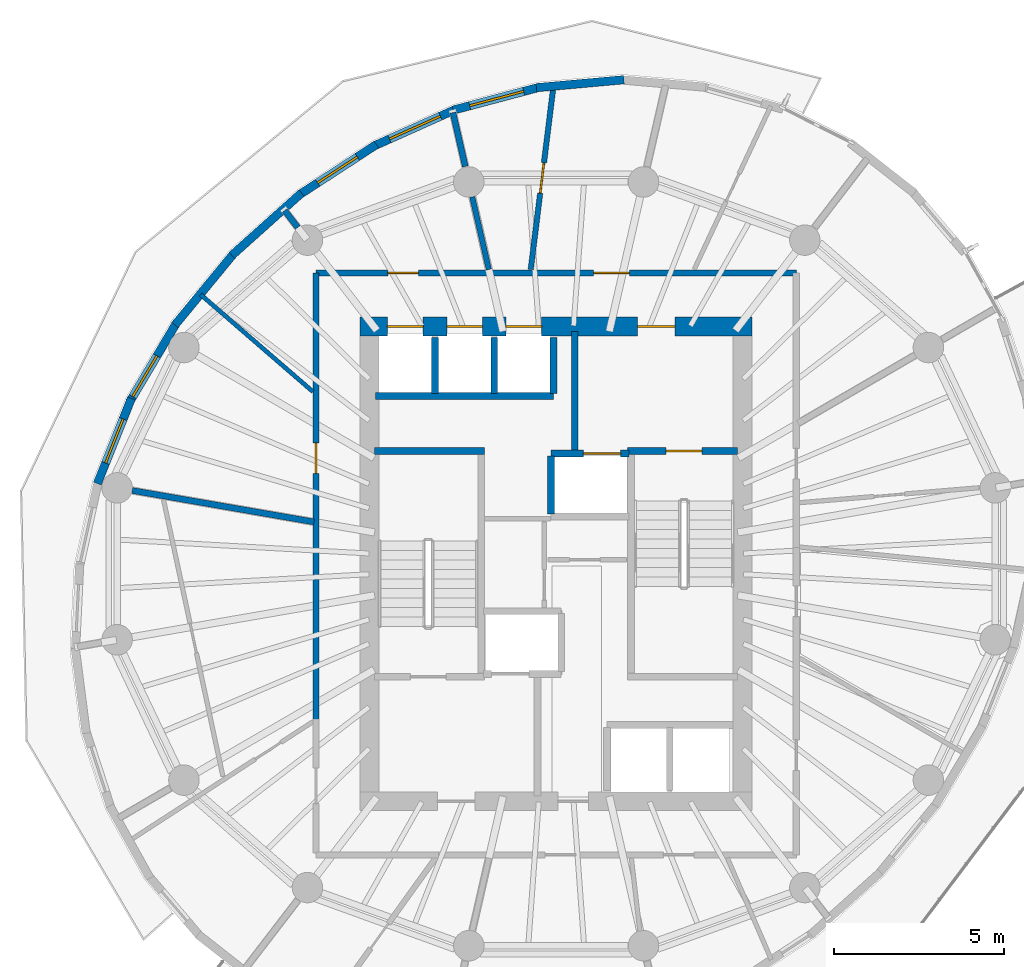
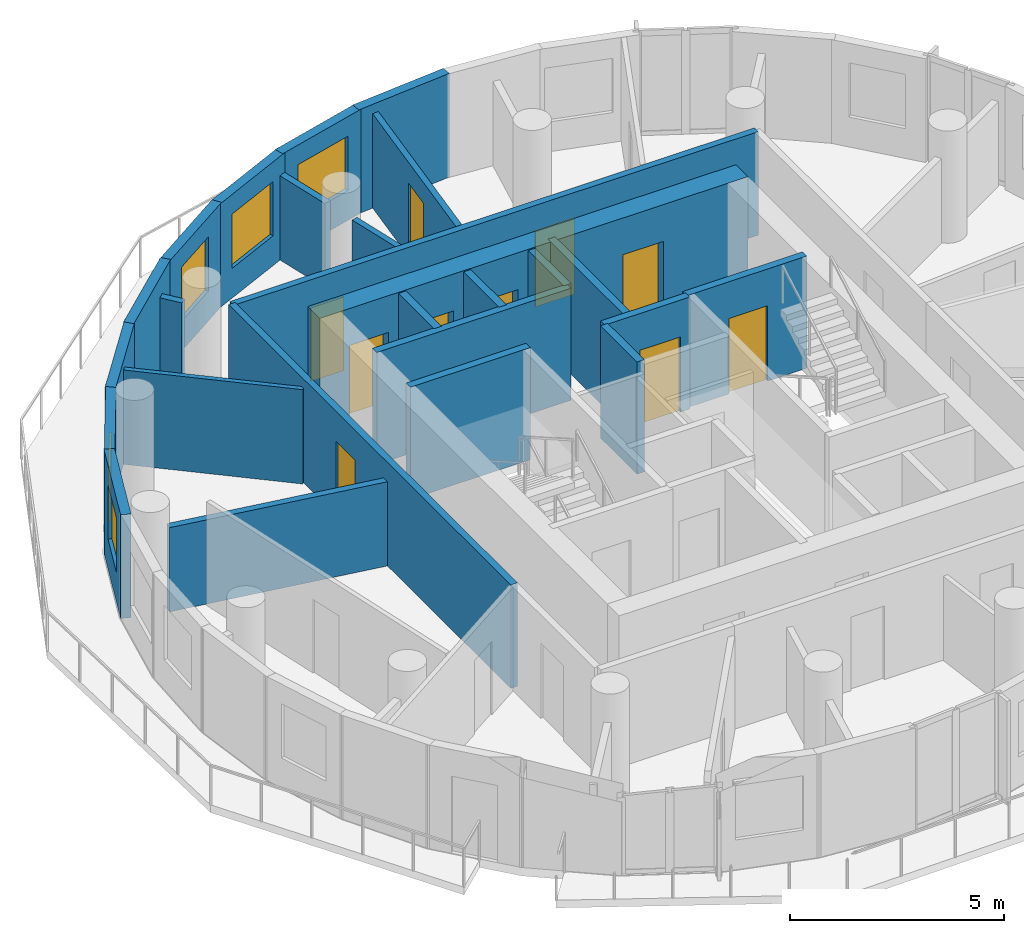
# One storey, part 6 of 10: 26 walls, 10 doors, 5 windows, 15 openings.
"""IFC4 building model written with IfcOpenShell, lengths in metres."""

from ifc_helpers import new_model, si_unit, direction, frame, frame_2d, origin, place, context, subcontext, project, spatial, rectangle, extrude, material, layer, layer_set, type_object, element, fill, save


model = new_model("IFC4")

# Units and contexts
model_context = context("Model", 3, precision=1e-05, world=origin(), true_north=direction((0.0, 1.0)))
body_context = subcontext(model_context, "Body", "Model", "MODEL_VIEW")
ifc_project = project(units=[si_unit("LENGTHUNIT", "METRE"), si_unit("AREAUNIT", "SQUARE_METRE"), si_unit("VOLUMEUNIT", "CUBIC_METRE"), si_unit("PLANEANGLEUNIT", "RADIAN"), si_unit("MASSUNIT", "GRAM", prefix="KILO")], contexts=[model_context])

# Site, building, storey
site_placement = place(None, origin())
site = spatial("IfcSite", under=ifc_project, at=site_placement, CompositionType="ELEMENT")
building_placement = place(site_placement, origin())
building = spatial("IfcBuilding", under=site, at=building_placement, Name="Veldorim Arch Residences", CompositionType="ELEMENT")
storey_placement = place(building_placement, frame((0.0, 0.0, 185.43994140625)))
storey = spatial("IfcBuildingStorey", under=building, at=storey_placement, Name="L55", CompositionType="ELEMENT", Elevation=185.43994140625)

# Walls
ifc_material_1 = material(Name="Acoustic Gypsum Board", Category="gypsum")
ifc_layer_1 = layer(ifc_material_1, 0.125, Name="Acoustic Stud Room Partition Wall 125")
ifc_layer_set_1 = layer_set([ifc_layer_1], Name="Acoustic Gypsum Board")
wall_type_1 = type_object("IfcWallType", Name="Acoustic Stud Room Partition Wall 125", PredefinedType="PARTITIONING", material=ifc_layer_set_1)
wall_1_placement = place(storey_placement, frame((21.515380859375, 31.940673828125, 0.0), z_axis=(0.0, 0.0, 1.0), x_axis=(0.756468247818, -0.654030419815, 0.0)))
element("IfcWall", 1, at=wall_1_placement, inside=storey, type_object=wall_type_1, Name="L55 interior wall WL-RES-L55-018", PredefinedType="PARTITIONING", context=body_context, shape_type="SweptSolid", body=[
    extrude(rectangle(XDim=4.380615234375, YDim=0.125, at=frame_2d((2.1904296875, 0.0))), origin(), (0.0, 0.0, 1.0), 2.692138671875),
])
ifc_material_2 = material(Name="Lightweight Masonry Block & Gypsum", Category="masonry")
ifc_layer_2 = layer(ifc_material_2, 0.179931640625, Name="Compartment & Corridor Fire-Rated Party Wall 180")
ifc_layer_set_2 = layer_set([ifc_layer_2], Name="Lightweight Masonry Block & Gypsum")
wall_type_2 = type_object("IfcWallType", Name="Compartment & Corridor Fire-Rated Party Wall 180", PredefinedType="PARTITIONING", material=ifc_layer_set_2)
wall_2_placement = place(storey_placement, frame((29.320068359375, 35.717529296875, 0.0), z_axis=(0.0, 0.0, 1.0), x_axis=(-0.222967107114, 0.974825968645, 0.0)))
element("IfcWall", 2, at=wall_2_placement, inside=storey, type_object=wall_type_2, Name="L55 interior wall WL-PIER-L55-05", PredefinedType="PARTITIONING", context=body_context, shape_type="SweptSolid", body=[
    extrude(rectangle(XDim=1.63037109375, YDim=0.179931640625, at=frame_2d((0.815185546875, 0.0))), origin(), (0.0, 0.0, 1.0), 2.403564453125),
])
wall_3_placement = place(storey_placement, frame((24.380126953125, 33.91796875, 0.0), z_axis=(0.0, 0.0, 1.0), x_axis=(-0.609112888366, 0.793083532314, 0.0)))
element("IfcWall", 3, at=wall_3_placement, inside=storey, type_object=wall_type_2, Name="L55 interior wall WL-PIER-L55-06", PredefinedType="PARTITIONING", context=body_context, shape_type="SweptSolid", body=[
    extrude(rectangle(XDim=0.631591796875, YDim=0.179931640625, at=frame_2d((0.31591796875, 0.0))), origin(), (0.0, 0.0, 1.0), 2.403564453125),
])

# Wall, openings, doors
wall_4_placement = place(storey_placement, frame((24.919921875, 32.580078125, 0.0), z_axis=(0.0, 0.0, 1.0), x_axis=(1.0, 0.0, 0.0)))
wall_4 = element("IfcWall", 4, at=wall_4_placement, inside=storey, type_object=wall_type_2, Name="L55 interior wall WL-RES-L55-004", PredefinedType="PARTITIONING", context=body_context, shape_type="SweptSolid", body=[
    extrude(rectangle(XDim=14.16015625, YDim=0.179931640625, at=frame_2d((7.080078125, 0.0))), origin(), (0.0, 0.0, 1.0), 2.955078125),
])
opening_1_placement = place(wall_4_placement, frame((8.186279296875, 0.0, 0.0)))
opening_1 = element("IfcOpeningElement", 5, at=opening_1_placement, cuts=wall_4, Name="Opening DR-FLT", PredefinedType="OPENING", context=body_context, shape_type="SweptSolid", body=[
    extrude(rectangle(XDim=1.050048828125, YDim=2.14990234375, at=frame_2d((0.52490234375, 1.074951171875))), frame((0.0, 0.099853515625, 0.0), z_axis=(0.0, -1.0, 0.0), x_axis=(1.0, 0.0, 0.0)), (0.0, 0.0, 1.0), 0.199951171875),
])
opening_2_placement = place(wall_4_placement, frame((2.118896484375, 0.0, 0.0)))
opening_2 = element("IfcOpeningElement", 6, at=opening_2_placement, cuts=wall_4, Name="Opening DR-SVC", PredefinedType="OPENING", context=body_context, shape_type="SweptSolid", body=[
    extrude(rectangle(XDim=0.89990234375, YDim=2.10009765625, at=frame_2d((0.449951171875, 1.050048828125))), frame((0.0, 0.099853515625, 0.0), z_axis=(0.0, -1.0, 0.0), x_axis=(1.0, 0.0, 0.0)), (0.0, 0.0, 1.0), 0.199951171875),
])
ifc_material_3 = material(Name="Fire-Rated Timber", Category="wood")
door_type_1 = type_object("IfcDoorType", Name="Apartment Entrance Solid-Core Fire Door 1050x2150", OperationType="SINGLE_SWING_LEFT", PredefinedType="DOOR", material=ifc_material_3)
door_1_placement = place(opening_1_placement, origin())
door_1 = element("IfcDoor", 7, at=door_1_placement, inside=storey, type_object=door_type_1, Name="L55 interior door DR-RES-L55-007", OperationType="SINGLE_SWING_LEFT", OverallHeight=2.14990234375, OverallWidth=1.050048828125, PredefinedType="DOOR", context=body_context, shape_type="SweptSolid", body=[
    extrude(rectangle(XDim=1.050048828125, YDim=2.14990234375, at=frame_2d((0.52490234375, 1.074951171875))), frame((0.0, 0.02490234375, 0.0), z_axis=(0.0, -1.0, 0.0), x_axis=(1.0, 0.0, 0.0)), (0.0, 0.0, 1.0), 0.050048828125),
])
fill(opening_1, door_1)
ifc_material_4 = material(Name="Fire-Rated Steel", Category="steel")
door_type_2 = type_object("IfcDoorType", Name="Riser, Shelter & Plant Room Rated Steel Door 900x2100", OperationType="SINGLE_SWING_LEFT", PredefinedType="DOOR", material=ifc_material_4)
door_2_placement = place(opening_2_placement, origin())
door_2 = element("IfcDoor", 8, at=door_2_placement, inside=storey, type_object=door_type_2, Name="L55 interior door DR-RES-L55-011", OperationType="SINGLE_SWING_LEFT", OverallHeight=2.10009765625, OverallWidth=0.89990234375, PredefinedType="DOOR", context=body_context, shape_type="SweptSolid", body=[
    extrude(rectangle(XDim=0.89990234375, YDim=2.10009765625, at=frame_2d((0.449951171875, 1.050048828125))), frame((0.0, 0.02490234375, 0.0), z_axis=(0.0, -1.0, 0.0), x_axis=(1.0, 0.0, 0.0)), (0.0, 0.0, 1.0), 0.050048828125),
])
fill(opening_2, door_2)

# Wall, opening, door
wall_5_placement = place(storey_placement, frame((24.919921875, 19.382080078125, 0.0), z_axis=(0.0, 0.0, 1.0), x_axis=(0.0, 1.0, 0.0)))
wall_5 = element("IfcWall", 9, at=wall_5_placement, inside=storey, type_object=wall_type_2, Name="L55 interior wall WL-RES-L55-005", PredefinedType="PARTITIONING", context=body_context, shape_type="SweptSolid", body=[
    extrude(rectangle(XDim=13.197998046875, YDim=0.179931640625, at=frame_2d((6.59912109375, 0.0))), origin(), (0.0, 0.0, 1.0), 2.955078125),
])
opening_3_placement = place(wall_5_placement, frame((7.2822265625, 0.0, 0.0)))
opening_3 = element("IfcOpeningElement", 10, at=opening_3_placement, cuts=wall_5, Name="Opening DR-INT", PredefinedType="OPENING", context=body_context, shape_type="SweptSolid", body=[
    extrude(rectangle(XDim=0.89990234375, YDim=2.10009765625, at=frame_2d((0.449951171875, 1.050048828125))), frame((0.0, 0.099853515625, 0.0), z_axis=(0.0, -1.0, 0.0), x_axis=(1.0, 0.0, 0.0)), (0.0, 0.0, 1.0), 0.199951171875),
])
ifc_material_5 = material(Name="Engineered Timber", Category="wood")
door_type_3 = type_object("IfcDoorType", Name="Apartment Internal Room Timber Door 900x2100", OperationType="SINGLE_SWING_LEFT", PredefinedType="DOOR", material=ifc_material_5)
door_3_placement = place(opening_3_placement, origin())
door_3 = element("IfcDoor", 11, at=door_3_placement, inside=storey, type_object=door_type_3, Name="L55 interior door DR-RES-L55-010", OperationType="SINGLE_SWING_RIGHT", OverallHeight=2.10009765625, OverallWidth=0.89990234375, PredefinedType="DOOR", context=body_context, shape_type="SweptSolid", body=[
    extrude(rectangle(XDim=0.89990234375, YDim=2.10009765625, at=frame_2d((0.449951171875, 1.050048828125))), frame((0.0, 0.02490234375, 0.0), z_axis=(0.0, -1.0, 0.0), x_axis=(1.0, 0.0, 0.0)), (0.0, 0.0, 1.0), 0.050048828125),
])
fill(opening_3, door_3)

# Walls
wall_6_placement = place(storey_placement, frame((24.86083984375, 25.235107421875, 0.0), z_axis=(0.0, 0.0, 1.0), x_axis=(-0.985368487575, 0.170437506711, 0.0)))
element("IfcWall", 12, at=wall_6_placement, inside=storey, type_object=wall_type_2, Name="L55 interior wall WL-RES-L55-019", PredefinedType="PARTITIONING", context=body_context, shape_type="SweptSolid", body=[
    extrude(rectangle(XDim=5.43896484375, YDim=0.179931640625, at=frame_2d((2.719482421875, 0.0))), origin(), (0.0, 0.0, 1.0), 2.403564453125),
])
ifc_material_6 = material(Name="Concrete C50/60", Category="concrete")
ifc_layer_3 = layer(ifc_material_6, 0.199951171875, Name="Core Stair & Lift Shaft Enclosure Wall 200")
ifc_layer_set_3 = layer_set([ifc_layer_3], Name="Concrete C50/60")
wall_type_3 = type_object("IfcWallType", Name="Core Stair & Lift Shaft Enclosure Wall 200", PredefinedType="SHEAR", material=ifc_layer_set_3)
wall_7_placement = place(storey_placement, frame((26.64990234375, 27.330078125, 0.0), z_axis=(0.0, 0.0, 1.0), x_axis=(1.0, 0.0, 0.0)))
element("IfcWall", 13, at=wall_7_placement, inside=storey, type_object=wall_type_3, Name="L55 shaft wall WL-SHF-L55-ST1-N", PredefinedType="SHEAR", context=body_context, shape_type="SweptSolid", body=[
    extrude(rectangle(XDim=3.239990234375, YDim=0.199951171875, at=frame_2d((1.6201171875, 0.0))), origin(), (0.0, 0.0, 1.0), 3.199951171875),
])

# Wall, opening, door
wall_8_placement = place(storey_placement, frame((34.110107421875, 27.330078125, 0.0), z_axis=(0.0, 0.0, 1.0), x_axis=(1.0, 0.0, 0.0)))
wall_8 = element("IfcWall", 14, at=wall_8_placement, inside=storey, type_object=wall_type_3, Name="L55 shaft wall WL-SHF-L55-ST2-N", PredefinedType="SHEAR", context=body_context, shape_type="SweptSolid", body=[
    extrude(rectangle(XDim=3.239990234375, YDim=0.199951171875, at=frame_2d((1.6201171875, 0.0))), origin(), (0.0, 0.0, 1.0), 3.199951171875),
])
opening_4_placement = place(wall_8_placement, frame((1.135009765625, 0.0, 0.0)))
opening_4 = element("IfcOpeningElement", 15, at=opening_4_placement, cuts=wall_8, Name="Opening DR-ST", PredefinedType="OPENING", context=body_context, shape_type="SweptSolid", body=[
    extrude(rectangle(XDim=1.050048828125, YDim=2.14990234375, at=frame_2d((0.52490234375, 1.074951171875))), frame((0.0, 0.10986328125, 0.0), z_axis=(0.0, -1.0, 0.0), x_axis=(1.0, 0.0, 0.0)), (0.0, 0.0, 1.0), 0.219970703125),
])
ifc_material_7 = material(Name="Fire-Rated Steel", Category="steel")
door_type_4 = type_object("IfcDoorType", Name="Exit Staircase Self-Closing Fire Door 1050x2150", OperationType="SINGLE_SWING_LEFT", PredefinedType="DOOR", material=ifc_material_7)
door_4_placement = place(opening_4_placement, origin())
door_4 = element("IfcDoor", 16, at=door_4_placement, inside=storey, type_object=door_type_4, Name="L55 interior door DR-L55-ST2", OperationType="SINGLE_SWING_RIGHT", OverallHeight=2.14990234375, OverallWidth=1.050048828125, PredefinedType="DOOR", context=body_context, shape_type="SweptSolid", body=[
    extrude(rectangle(XDim=1.050048828125, YDim=2.14990234375, at=frame_2d((0.52490234375, 1.074951171875))), frame((0.0, 0.02490234375, 0.0), z_axis=(0.0, -1.0, 0.0), x_axis=(1.0, 0.0, 0.0)), (0.0, 0.0, 1.0), 0.050048828125),
])
fill(opening_4, door_4)

# Wall
wall_9_placement = place(storey_placement, frame((32.550048828125, 27.35009765625, 0.0), z_axis=(0.0, 0.0, 1.0), x_axis=(0.0, 1.0, 0.0)))
element("IfcWall", 17, at=wall_9_placement, inside=storey, type_object=wall_type_3, Name="L55 shaft wall WL-FFL2-L55-W", PredefinedType="SHEAR", context=body_context, shape_type="SweptSolid", body=[
    extrude(rectangle(XDim=3.5, YDim=0.199951171875, at=frame_2d((1.75, 0.0))), origin(), (0.0, 0.0, 1.0), 3.199951171875),
])

# Wall, opening, door
wall_10_placement = place(storey_placement, frame((31.85009765625, 27.25, 0.0), z_axis=(0.0, 0.0, 1.0), x_axis=(1.0, 0.0, 0.0)))
wall_10 = element("IfcWall", 18, at=wall_10_placement, inside=storey, type_object=wall_type_3, Name="L55 shaft wall WL-FL02-L55-N", PredefinedType="SHEAR", context=body_context, shape_type="SweptSolid", body=[
    extrude(rectangle(XDim=2.2998046875, YDim=0.199951171875, at=frame_2d((1.14990234375, 0.0))), origin(), (0.0, 0.0, 1.0), 3.199951171875),
])
opening_5_placement = place(wall_10_placement, frame((0.949951171875, 0.0, 0.0)))
opening_5 = element("IfcOpeningElement", 19, at=opening_5_placement, cuts=wall_10, Name="Opening LD-FF", PredefinedType="OPENING", context=body_context, shape_type="SweptSolid", body=[
    extrude(rectangle(XDim=1.10009765625, YDim=2.14990234375, at=frame_2d((0.550048828125, 1.074951171875))), frame((0.0, 0.10986328125, 0.0), z_axis=(0.0, -1.0, 0.0), x_axis=(1.0, 0.0, 0.0)), (0.0, 0.0, 1.0), 0.219970703125),
])
ifc_material_8 = material(Name="Stainless Steel", Category="steel")
door_type_5 = type_object("IfcDoorType", Name="Firefighting Lift Bi-Parting Sliding Landing Door 1100x2150", OperationType="DOUBLE_DOOR_SLIDING", PredefinedType="DOOR", material=ifc_material_8)
door_5_placement = place(opening_5_placement, origin())
door_5 = element("IfcDoor", 20, at=door_5_placement, inside=storey, type_object=door_type_5, Name="L55 lift landing door LD-L55-FL02", OperationType="DOUBLE_DOOR_SLIDING", OverallHeight=2.14990234375, OverallWidth=1.10009765625, PredefinedType="DOOR", context=body_context, shape_type="SweptSolid", body=[
    extrude(rectangle(XDim=1.10009765625, YDim=2.14990234375, at=frame_2d((0.550048828125, 1.074951171875))), frame((0.0, 0.02490234375, 0.0), z_axis=(0.0, -1.0, 0.0), x_axis=(1.0, 0.0, 0.0)), (0.0, 0.0, 1.0), 0.050048828125),
])
fill(opening_5, door_5)

# Walls
wall_11_placement = place(storey_placement, frame((31.85009765625, 25.469970703125, 0.0), z_axis=(0.0, 0.0, 1.0), x_axis=(0.0, 1.0, 0.0)))
element("IfcWall", 21, at=wall_11_placement, inside=storey, type_object=wall_type_3, Name="L55 shaft wall WL-FL02-L55-W", PredefinedType="SHEAR", context=body_context, shape_type="SweptSolid", body=[
    extrude(rectangle(XDim=1.7099609375, YDim=0.199951171875, at=frame_2d((0.85498046875, 0.0))), origin(), (0.0, 0.0, 1.0), 3.199951171875),
])
wall_12_placement = place(storey_placement, frame((26.679931640625, 28.949951171875, 0.0), z_axis=(0.0, 0.0, 1.0), x_axis=(1.0, 0.0, 0.0)))
element("IfcWall", 22, at=wall_12_placement, inside=storey, type_object=wall_type_3, Name="L55 shaft wall WL-B3-L55-S", PredefinedType="SHEAR", context=body_context, shape_type="SweptSolid", body=[
    extrude(rectangle(XDim=5.239990234375, YDim=0.199951171875, at=frame_2d((2.6201171875, 0.0))), origin(), (0.0, 0.0, 1.0), 3.199951171875),
])
for number, where, z_axis, x_axis, name in (
    (23, (31.919921875, 29.02001953125, 0.0), (0.0, 0.0, 1.0), (0.0, 1.0, 0.0), "L55 shaft wall WL-B3-L55-E"),
    (24, (28.425048828125, 29.02001953125, 0.0), (0.0, 0.0, 1.0), (0.0, 1.0, 0.0), "L55 shaft wall WL-B3-L55-D1"),
    (25, (30.175048828125, 29.02001953125, 0.0), (0.0, 0.0, 1.0), (0.0, 1.0, 0.0), "L55 shaft wall WL-B3-L55-D2"),
):
    element("IfcWall", number, at=place(storey_placement, frame(where, z_axis=z_axis, x_axis=x_axis)), inside=storey, type_object=wall_type_3, Name=name, PredefinedType="SHEAR", context=body_context, shape_type="SweptSolid", body=[
        extrude(rectangle(XDim=1.659912109375, YDim=0.199951171875, at=frame_2d((0.830078125, 0.0))), origin(), (0.0, 0.0, 1.0), 3.199951171875),
    ])
ifc_material_9 = material(Name="Precast concrete C40/50", Category="concrete")
ifc_layer_4 = layer(ifc_material_9, 0.25, Name="Tower Terracotta Spandrel & Pier Wall 250")
ifc_layer_set_4 = layer_set([ifc_layer_4], Name="Precast concrete C40/50")
wall_type_4 = type_object("IfcWallType", Name="Tower Terracotta Spandrel & Pier Wall 250", PredefinedType="SOLIDWALL", material=ifc_layer_set_4)
wall_13_placement = place(storey_placement, frame((31.417724609375, 38.04150390625, 0.0), z_axis=(0.0, 0.0, 1.0), x_axis=(0.995895522128, 0.090510270169, 0.0)))
element("IfcWall", 26, at=wall_13_placement, inside=storey, type_object=wall_type_4, Name="L55 terracotta facade wall 05", PredefinedType="SOLIDWALL", context=body_context, shape_type="SweptSolid", body=[
    extrude(rectangle(XDim=2.59228515625, YDim=0.25, at=frame_2d((1.296142578125, 0.0))), origin(), (0.0, 0.0, 1.0), 2.9599609375),
])

# Wall, opening, window
wall_14_placement = place(storey_placement, frame((28.964599609375, 37.380615234375, 0.0), z_axis=(0.0, 0.0, 1.0), x_axis=(0.96652474621, 0.256573410476, 0.0)))
wall_14 = element("IfcWall", 27, at=wall_14_placement, inside=storey, type_object=wall_type_4, Name="L55 terracotta facade wall 06", PredefinedType="SOLIDWALL", context=body_context, shape_type="SweptSolid", body=[
    extrude(rectangle(XDim=2.65087890625, YDim=0.25, at=frame_2d((1.325439453125, 0.0))), origin(), (0.0, 0.0, 1.0), 2.9599609375),
])
opening_6_placement = place(wall_14_placement, frame((0.5009765625, 0.0, 0.85009765625)))
opening_6 = element("IfcOpeningElement", 28, at=opening_6_placement, cuts=wall_14, Name="Opening WN-03", PredefinedType="OPENING", context=body_context, shape_type="SweptSolid", body=[
    extrude(rectangle(XDim=1.64990234375, YDim=1.550048828125, at=frame_2d((0.824951171875, 0.77490234375))), frame((0.0, 0.135009765625, 0.0), z_axis=(0.0, -1.0, 0.0), x_axis=(1.0, 0.0, 0.0)), (0.0, 0.0, 1.0), 0.27001953125),
])
ifc_material_10 = material(Name="Laminated Low-E Glass", Category="glass")
window_type_1 = type_object("IfcWindowType", Name="Residential Wide Window 1650x1550", PartitioningType="SINGLE_PANEL", PredefinedType="WINDOW", material=ifc_material_10)
window_1_placement = place(opening_6_placement, origin())
window_1 = element("IfcWindow", 29, at=window_1_placement, inside=storey, type_object=window_type_1, Name="L55 solar-control facade window 06", OverallHeight=1.550048828125, OverallWidth=1.64990234375, PartitioningType="SINGLE_PANEL", PredefinedType="WINDOW", context=body_context, shape_type="SweptSolid", body=[
    extrude(rectangle(XDim=1.64990234375, YDim=1.550048828125, at=frame_2d((0.824951171875, 0.77490234375))), frame((0.0, 0.030029296875, 0.0), z_axis=(0.0, -1.0, 0.0), x_axis=(1.0, 0.0, 0.0)), (0.0, 0.0, 1.0), 0.06005859375),
])
fill(opening_6, window_1)

wall_15_placement = place(storey_placement, frame((26.6025390625, 36.312744140625, 0.0), z_axis=(0.0, 0.0, 1.0), x_axis=(0.912615139532, 0.408819773368, 0.0)))
wall_15 = element("IfcWall", 30, at=wall_15_placement, inside=storey, type_object=wall_type_4, Name="L55 terracotta facade wall 07", PredefinedType="SOLIDWALL", context=body_context, shape_type="SweptSolid", body=[
    extrude(rectangle(XDim=2.70166015625, YDim=0.25, at=frame_2d((1.350830078125, 0.0))), origin(), (0.0, 0.0, 1.0), 2.9599609375),
])
opening_7_placement = place(wall_15_placement, frame((0.52587890625, 0.0, 0.85009765625)))
opening_7 = element("IfcOpeningElement", 31, at=opening_7_placement, cuts=wall_15, Name="Opening WN-03", PredefinedType="OPENING", context=body_context, shape_type="SweptSolid", body=[
    extrude(rectangle(XDim=1.64990234375, YDim=1.550048828125, at=frame_2d((0.824951171875, 0.77490234375))), frame((0.0, 0.135009765625, 0.0), z_axis=(0.0, -1.0, 0.0), x_axis=(1.0, 0.0, 0.0)), (0.0, 0.0, 1.0), 0.27001953125),
])
window_2_placement = place(opening_7_placement, origin())
window_2 = element("IfcWindow", 32, at=window_2_placement, inside=storey, type_object=window_type_1, Name="L55 solar-control facade window 07", OverallHeight=1.550048828125, OverallWidth=1.64990234375, PartitioningType="SINGLE_PANEL", PredefinedType="WINDOW", context=body_context, shape_type="SweptSolid", body=[
    extrude(rectangle(XDim=1.64990234375, YDim=1.550048828125, at=frame_2d((0.824951171875, 0.77490234375))), frame((0.0, 0.030029296875, 0.0), z_axis=(0.0, -1.0, 0.0), x_axis=(1.0, 0.0, 0.0)), (0.0, 0.0, 1.0), 0.06005859375),
])
fill(opening_7, window_2)

wall_16_placement = place(storey_placement, frame((24.404052734375, 34.8701171875, 0.0), z_axis=(0.0, 0.0, 1.0), x_axis=(0.837860586987, 0.545884270496, 0.0)))
wall_16 = element("IfcWall", 33, at=wall_16_placement, inside=storey, type_object=wall_type_4, Name="L55 terracotta facade wall 08", PredefinedType="SOLIDWALL", context=body_context, shape_type="SweptSolid", body=[
    extrude(rectangle(XDim=2.738525390625, YDim=0.25, at=frame_2d((1.369140625, 0.0))), origin(), (0.0, 0.0, 1.0), 2.9599609375),
])
opening_8_placement = place(wall_16_placement, frame((0.6689453125, 0.0, 0.85009765625)))
opening_8 = element("IfcOpeningElement", 34, at=opening_8_placement, cuts=wall_16, Name="Opening WN-02", PredefinedType="OPENING", context=body_context, shape_type="SweptSolid", body=[
    extrude(rectangle(XDim=1.39990234375, YDim=1.550048828125, at=frame_2d((0.699951171875, 0.77490234375))), frame((0.0, 0.135009765625, 0.0), z_axis=(0.0, -1.0, 0.0), x_axis=(1.0, 0.0, 0.0)), (0.0, 0.0, 1.0), 0.27001953125),
])
ifc_material_11 = material(Name="Laminated Low-E Glass", Category="glass")
window_type_2 = type_object("IfcWindowType", Name="Residential Casement Window 1400x1550", PartitioningType="SINGLE_PANEL", PredefinedType="WINDOW", material=ifc_material_11)
window_3_placement = place(opening_8_placement, origin())
window_3 = element("IfcWindow", 35, at=window_3_placement, inside=storey, type_object=window_type_2, Name="L55 solar-control facade window 08", OverallHeight=1.550048828125, OverallWidth=1.39990234375, PartitioningType="SINGLE_PANEL", PredefinedType="WINDOW", context=body_context, shape_type="SweptSolid", body=[
    extrude(rectangle(XDim=1.39990234375, YDim=1.550048828125, at=frame_2d((0.699951171875, 0.77490234375))), frame((0.0, 0.030029296875, 0.0), z_axis=(0.0, -1.0, 0.0), x_axis=(1.0, 0.0, 0.0)), (0.0, 0.0, 1.0), 0.06005859375),
])
fill(opening_8, window_3)

# Walls
for number, where, z_axis, x_axis, name in (
    (36, (22.43603515625, 33.09619140625, 0.0), (0.0, 0.0, 1.0), (0.744898573364, 0.667177723998, 0.0), "L55 terracotta facade wall 09"),
    (37, (20.7587890625, 31.044921875, 0.0), (0.0, 0.0, 1.0), (0.635409334306, 0.772175483861, 0.0), "L55 terracotta facade wall 10"),
):
    element("IfcWall", number, at=place(storey_placement, frame(where, z_axis=z_axis, x_axis=x_axis)), inside=storey, type_object=wall_type_4, Name=name, PredefinedType="SOLIDWALL", context=body_context, shape_type="SweptSolid", body=[
        extrude(rectangle(XDim=2.758056640625, YDim=0.25, at=frame_2d((1.37890625, 0.0))), origin(), (0.0, 0.0, 1.0), 2.9599609375),
    ])

# Wall, opening, window
wall_17_placement = place(storey_placement, frame((19.423828125, 28.779052734375, 0.0), z_axis=(0.0, 0.0, 1.0), x_axis=(0.510320389621, 0.859984360287, 0.0)))
wall_17 = element("IfcWall", 38, at=wall_17_placement, inside=storey, type_object=wall_type_4, Name="L55 terracotta facade wall 11", PredefinedType="SOLIDWALL", context=body_context, shape_type="SweptSolid", body=[
    extrude(rectangle(XDim=2.73828125, YDim=0.25, at=frame_2d((1.369140625, 0.0))), origin(), (0.0, 0.0, 1.0), 2.9599609375),
])
opening_9_placement = place(wall_17_placement, frame((0.175048828125, 0.0, 0.85009765625)))
opening_9 = element("IfcOpeningElement", 39, at=opening_9_placement, cuts=wall_17, Name="Opening WN-02", PredefinedType="OPENING", context=body_context, shape_type="SweptSolid", body=[
    extrude(rectangle(XDim=1.39990234375, YDim=1.550048828125, at=frame_2d((0.699951171875, 0.77490234375))), frame((0.0, 0.135009765625, 0.0), z_axis=(0.0, -1.0, 0.0), x_axis=(1.0, 0.0, 0.0)), (0.0, 0.0, 1.0), 0.27001953125),
])
window_4_placement = place(opening_9_placement, origin())
window_4 = element("IfcWindow", 40, at=window_4_placement, inside=storey, type_object=window_type_2, Name="L55 solar-control facade window 11", OverallHeight=1.550048828125, OverallWidth=1.39990234375, PartitioningType="SINGLE_PANEL", PredefinedType="WINDOW", context=body_context, shape_type="SweptSolid", body=[
    extrude(rectangle(XDim=1.39990234375, YDim=1.550048828125, at=frame_2d((0.699951171875, 0.77490234375))), frame((0.0, 0.030029296875, 0.0), z_axis=(0.0, -1.0, 0.0), x_axis=(1.0, 0.0, 0.0)), (0.0, 0.0, 1.0), 0.06005859375),
])
fill(opening_9, window_4)

wall_18_placement = place(storey_placement, frame((18.4716796875, 26.367431640625, 0.0), z_axis=(0.0, 0.0, 1.0), x_axis=(0.370330939431, 0.928899884433, 0.0)))
wall_18 = element("IfcWall", 41, at=wall_18_placement, inside=storey, type_object=wall_type_4, Name="L55 terracotta facade wall 12", PredefinedType="SOLIDWALL", context=body_context, shape_type="SweptSolid", body=[
    extrude(rectangle(XDim=2.70166015625, YDim=0.25, at=frame_2d((1.350830078125, 0.0))), origin(), (0.0, 0.0, 1.0), 2.9599609375),
])
opening_10_placement = place(wall_18_placement, frame((0.65087890625, 0.0, 0.85009765625)))
opening_10 = element("IfcOpeningElement", 42, at=opening_10_placement, cuts=wall_18, Name="Opening WN-02", PredefinedType="OPENING", context=body_context, shape_type="SweptSolid", body=[
    extrude(rectangle(XDim=1.39990234375, YDim=1.550048828125, at=frame_2d((0.699951171875, 0.77490234375))), frame((0.0, 0.135009765625, 0.0), z_axis=(0.0, -1.0, 0.0), x_axis=(1.0, 0.0, 0.0)), (0.0, 0.0, 1.0), 0.27001953125),
])
window_5_placement = place(opening_10_placement, origin())
window_5 = element("IfcWindow", 43, at=window_5_placement, inside=storey, type_object=window_type_2, Name="L55 solar-control facade window 12", OverallHeight=1.550048828125, OverallWidth=1.39990234375, PartitioningType="SINGLE_PANEL", PredefinedType="WINDOW", context=body_context, shape_type="SweptSolid", body=[
    extrude(rectangle(XDim=1.39990234375, YDim=1.550048828125, at=frame_2d((0.699951171875, 0.77490234375))), frame((0.0, 0.030029296875, 0.0), z_axis=(0.0, -1.0, 0.0), x_axis=(1.0, 0.0, 0.0)), (0.0, 0.0, 1.0), 0.06005859375),
])
fill(opening_10, window_5)

# Wall, openings, doors
ifc_material_12 = material(Name="Concrete C50/60", Category="concrete")
ifc_layer_5 = layer(ifc_material_12, 0.5, Name="Upper Central Core Shear Wall 560")
ifc_layer_set_5 = layer_set([ifc_layer_5], Name="Concrete C50/60")
wall_type_5 = type_object("IfcWallType", Name="Upper Central Core Shear Wall 560", PredefinedType="SHEAR", material=ifc_layer_set_5)
wall_19_placement = place(storey_placement, frame((26.219970703125, 31.0, 0.0), z_axis=(0.0, 0.0, 1.0), x_axis=(1.0, 0.0, 0.0)))
wall_19 = element("IfcWall", 44, at=wall_19_placement, inside=storey, type_object=wall_type_5, Name="L55 central core north shear wall", PredefinedType="SHEAR", context=body_context, shape_type="SweptSolid", body=[
    extrude(rectangle(XDim=11.56005859375, YDim=0.56005859375, at=frame_2d((5.780029296875, 0.0))), origin(), (0.0, 0.0, 1.0), 3.199951171875),
])
opening_11_placement = place(wall_19_placement, frame((8.179931640625, 0.0, 0.0)))
opening_11 = element("IfcOpeningElement", 45, at=opening_11_placement, cuts=wall_19, Name="Opening DR-FFL", PredefinedType="OPENING", context=body_context, shape_type="SweptSolid", body=[
    extrude(rectangle(XDim=1.10009765625, YDim=2.14990234375, at=frame_2d((0.550048828125, 1.074951171875))), frame((0.0, 0.2900390625, 0.0), z_axis=(0.0, -1.0, 0.0), x_axis=(1.0, 0.0, 0.0)), (0.0, 0.0, 1.0), 0.580078125),
])
opening_12_placement = place(wall_19_placement, frame((0.804931640625, 0.0, 0.0)))
opening_12 = element("IfcOpeningElement", 46, at=opening_12_placement, cuts=wall_19, Name="Opening LD-PS", PredefinedType="OPENING", context=body_context, shape_type="SweptSolid", body=[
    extrude(rectangle(XDim=1.050048828125, YDim=2.14990234375, at=frame_2d((0.52490234375, 1.074951171875))), frame((0.0, 0.2900390625, 0.0), z_axis=(0.0, -1.0, 0.0), x_axis=(1.0, 0.0, 0.0)), (0.0, 0.0, 1.0), 0.580078125),
])
opening_13_placement = place(wall_19_placement, frame((2.554931640625, 0.0, 0.0)))
opening_13 = element("IfcOpeningElement", 47, at=opening_13_placement, cuts=wall_19, Name="Opening LD-PS", PredefinedType="OPENING", context=body_context, shape_type="SweptSolid", body=[
    extrude(rectangle(XDim=1.050048828125, YDim=2.14990234375, at=frame_2d((0.52490234375, 1.074951171875))), frame((0.0, 0.2900390625, 0.0), z_axis=(0.0, -1.0, 0.0), x_axis=(1.0, 0.0, 0.0)), (0.0, 0.0, 1.0), 0.580078125),
])
opening_14_placement = place(wall_19_placement, frame((4.304931640625, 0.0, 0.0)))
opening_14 = element("IfcOpeningElement", 48, at=opening_14_placement, cuts=wall_19, Name="Opening LD-PS", PredefinedType="OPENING", context=body_context, shape_type="SweptSolid", body=[
    extrude(rectangle(XDim=1.050048828125, YDim=2.14990234375, at=frame_2d((0.52490234375, 1.074951171875))), frame((0.0, 0.2900390625, 0.0), z_axis=(0.0, -1.0, 0.0), x_axis=(1.0, 0.0, 0.0)), (0.0, 0.0, 1.0), 0.580078125),
])
ifc_material_13 = material(Name="Fire-Rated Steel & Vision Glass", Category="steel")
door_type_6 = type_object("IfcDoorType", Name="Firefighting Lobby Smoke-Stop Fire Door 1100x2150", OperationType="SINGLE_SWING_LEFT", PredefinedType="DOOR", material=ifc_material_13)
door_6_placement = place(opening_11_placement, origin())
door_6 = element("IfcDoor", 49, at=door_6_placement, inside=storey, type_object=door_type_6, Name="L55 interior door DR-L55-FFL2", OperationType="SINGLE_SWING_LEFT", OverallHeight=2.14990234375, OverallWidth=1.10009765625, PredefinedType="DOOR", context=body_context, shape_type="SweptSolid", body=[
    extrude(rectangle(XDim=1.10009765625, YDim=2.14990234375, at=frame_2d((0.550048828125, 1.074951171875))), frame((0.0, 0.02490234375, 0.0), z_axis=(0.0, -1.0, 0.0), x_axis=(1.0, 0.0, 0.0)), (0.0, 0.0, 1.0), 0.050048828125),
])
fill(opening_11, door_6)
ifc_material_14 = material(Name="Stainless Steel", Category="steel")
door_type_7 = type_object("IfcDoorType", Name="Passenger Lift Bi-Parting Sliding Landing Door 1050x2150", OperationType="DOUBLE_DOOR_SLIDING", PredefinedType="DOOR", material=ifc_material_14)
door_7_placement = place(opening_12_placement, origin())
door_7 = element("IfcDoor", 50, at=door_7_placement, inside=storey, type_object=door_type_7, Name="L55 lift landing door LD-L55-PL-08", OperationType="DOUBLE_DOOR_SLIDING", OverallHeight=2.14990234375, OverallWidth=1.050048828125, PredefinedType="DOOR", context=body_context, shape_type="SweptSolid", body=[
    extrude(rectangle(XDim=1.050048828125, YDim=2.14990234375, at=frame_2d((0.52490234375, 1.074951171875))), frame((0.0, 0.02490234375, 0.0), z_axis=(0.0, -1.0, 0.0), x_axis=(1.0, 0.0, 0.0)), (0.0, 0.0, 1.0), 0.050048828125),
])
fill(opening_12, door_7)
door_8_placement = place(opening_13_placement, origin())
door_8 = element("IfcDoor", 51, at=door_8_placement, inside=storey, type_object=door_type_7, Name="L55 lift landing door LD-L55-PL-09", OperationType="DOUBLE_DOOR_SLIDING", OverallHeight=2.14990234375, OverallWidth=1.050048828125, PredefinedType="DOOR", context=body_context, shape_type="SweptSolid", body=[
    extrude(rectangle(XDim=1.050048828125, YDim=2.14990234375, at=frame_2d((0.52490234375, 1.074951171875))), frame((0.0, 0.02490234375, 0.0), z_axis=(0.0, -1.0, 0.0), x_axis=(1.0, 0.0, 0.0)), (0.0, 0.0, 1.0), 0.050048828125),
])
fill(opening_13, door_8)
door_9_placement = place(opening_14_placement, origin())
door_9 = element("IfcDoor", 52, at=door_9_placement, inside=storey, type_object=door_type_7, Name="L55 lift landing door LD-L55-PL-10", OperationType="DOUBLE_DOOR_SLIDING", OverallHeight=2.14990234375, OverallWidth=1.050048828125, PredefinedType="DOOR", context=body_context, shape_type="SweptSolid", body=[
    extrude(rectangle(XDim=1.050048828125, YDim=2.14990234375, at=frame_2d((0.52490234375, 1.074951171875))), frame((0.0, 0.02490234375, 0.0), z_axis=(0.0, -1.0, 0.0), x_axis=(1.0, 0.0, 0.0)), (0.0, 0.0, 1.0), 0.050048828125),
])
fill(opening_14, door_9)

# Wall, opening, door
ifc_material_15 = material(Name="Moisture-Resistant Gypsum & Stud", Category="gypsum")
ifc_layer_6 = layer(ifc_material_15, 0.159912109375, Name="Wet-Area Moisture-Resistant Plumbing Wall 160")
ifc_layer_set_6 = layer_set([ifc_layer_6], Name="Moisture-Resistant Gypsum & Stud")
wall_type_6 = type_object("IfcWallType", Name="Wet-Area Moisture-Resistant Plumbing Wall 160", PredefinedType="PLUMBINGWALL", material=ifc_layer_set_6)
wall_20_placement = place(storey_placement, frame((31.249755859375, 32.67919921875, 0.0), z_axis=(0.0, 0.0, 1.0), x_axis=(0.123100196343, 0.992394247091, 0.0)))
wall_20 = element("IfcWall", 53, at=wall_20_placement, inside=storey, type_object=wall_type_6, Name="L55 interior wall WL-RES-L55-015", PredefinedType="PLUMBINGWALL", context=body_context, shape_type="SweptSolid", body=[
    extrude(rectangle(XDim=5.43408203125, YDim=0.159912109375, at=frame_2d((2.717041015625, 0.0))), origin(), (0.0, 0.0, 1.0), 2.692138671875),
])
opening_15_placement = place(wall_20_placement, frame((2.26708984375, 0.0, 0.0)))
opening_15 = element("IfcOpeningElement", 54, at=opening_15_placement, cuts=wall_20, Name="Opening DR-WC", PredefinedType="OPENING", context=body_context, shape_type="SweptSolid", body=[
    extrude(rectangle(XDim=0.89990234375, YDim=2.10009765625, at=frame_2d((0.449951171875, 1.050048828125))), frame((0.0, 0.08984375, 0.0), z_axis=(0.0, -1.0, 0.0), x_axis=(1.0, 0.0, 0.0)), (0.0, 0.0, 1.0), 0.179931640625),
])
ifc_material_16 = material(Name="Laminate Timber", Category="wood")
door_type_8 = type_object("IfcDoorType", Name="Bathroom & Accessible WC Moisture-Sealed Door 900x2100", OperationType="SINGLE_SWING_LEFT", PredefinedType="DOOR", material=ifc_material_16)
door_10_placement = place(opening_15_placement, origin())
door_10 = element("IfcDoor", 55, at=door_10_placement, inside=storey, type_object=door_type_8, Name="L55 interior door DR-RES-L55-008", OperationType="SINGLE_SWING_RIGHT", OverallHeight=2.10009765625, OverallWidth=0.89990234375, PredefinedType="DOOR", context=body_context, shape_type="SweptSolid", body=[
    extrude(rectangle(XDim=0.89990234375, YDim=2.10009765625, at=frame_2d((0.449951171875, 1.050048828125))), frame((0.0, 0.02490234375, 0.0), z_axis=(0.0, -1.0, 0.0), x_axis=(1.0, 0.0, 0.0)), (0.0, 0.0, 1.0), 0.050048828125),
])
fill(opening_15, door_10)

# Wall
wall_21_placement = place(storey_placement, frame((30.015380859375, 32.677490234375, 0.0), z_axis=(0.0, 0.0, 1.0), x_axis=(-0.222969522248, 0.974825416241, 0.0)))
element("IfcWall", 56, at=wall_21_placement, inside=storey, type_object=wall_type_6, Name="L55 interior wall WL-RES-L55-017", PredefinedType="PLUMBINGWALL", context=body_context, shape_type="SweptSolid", body=[
    extrude(rectangle(XDim=2.19873046875, YDim=0.159912109375, at=frame_2d((1.099365234375, 0.0))), origin(), (0.0, 0.0, 1.0), 2.403564453125),
])

save(model, "model.ifc")
